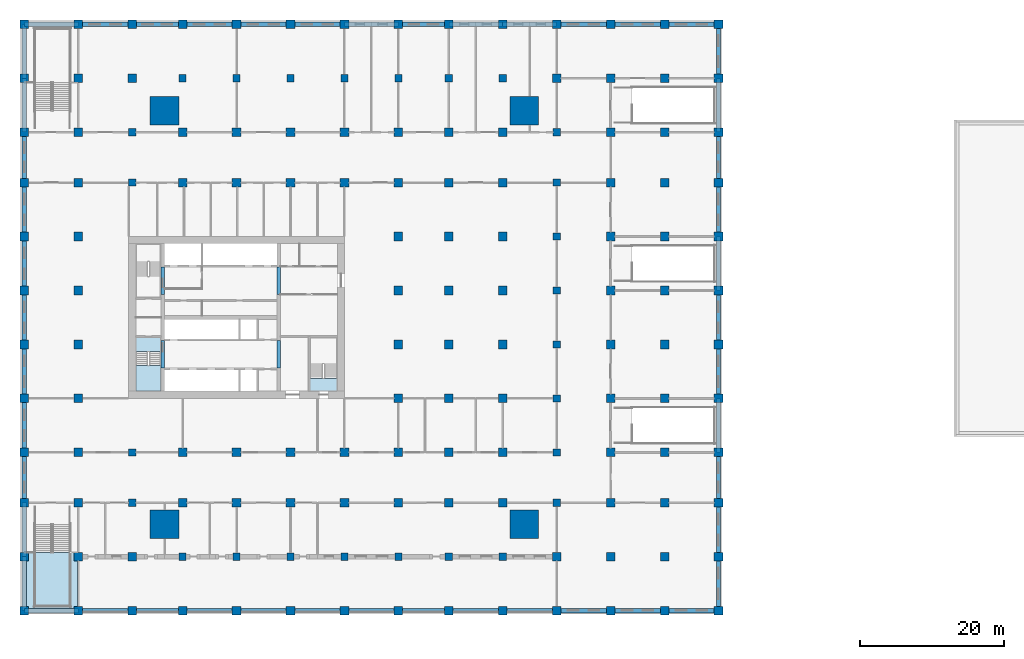
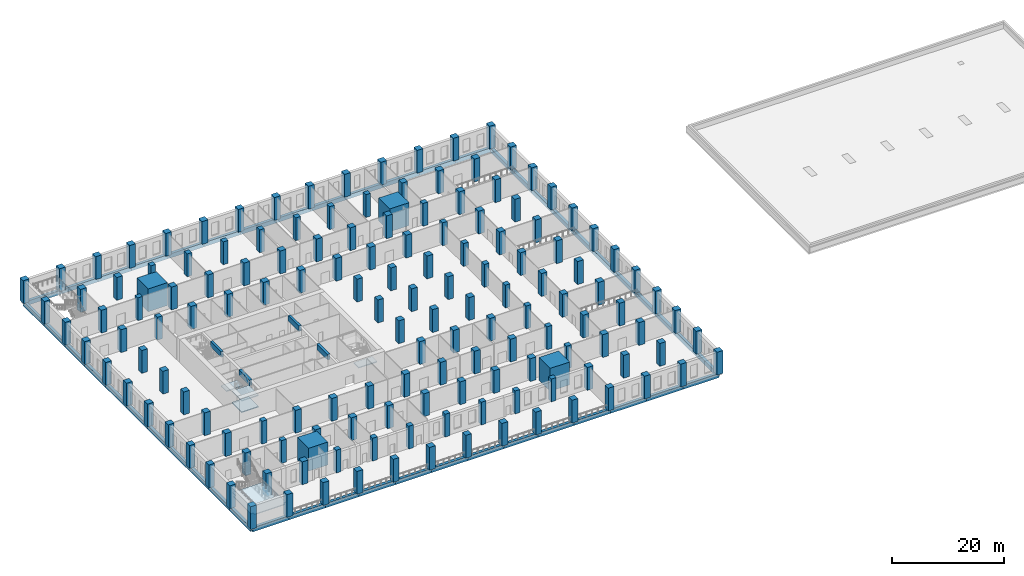
# One storey, part 1 of 22: 152 columns, 52 beams, 5 slabs, 3 elements without a shape of their own.
"""IFC4 building model written with IfcOpenShell, lengths in metres."""

import ifcopenshell
import ifcopenshell.guid

model = None  # the IFC model being written
_history = None  # IfcOwnerHistory: only IFC2X3 demands one
_inside = {}  # id of a spatial element -> (the spatial element, [elements in it])
_under = {}  # id of a project, library or spatial element -> (it, [spatial elements below it])
_declared = {}  # id of a project -> (the project, [libraries it declares])
_typed = {}  # id of a type object -> (the type object, [elements of that type])
_made_of = {}  # id of a material, layer set ... -> (it, [elements and type objects made of it])


def new_model(schema):
    """Start an empty IFC model of exactly this schema.

    Asked for "IFC4X3", IfcOpenShell would pick the latest addendum, in which some entities
    have other attributes; the version numbers below select the first issue.
    IFC2X3 requires an IfcOwnerHistory on every rooted entity: one is made here for all.
    """
    global model, _history
    if schema == "IFC4X3":
        model = ifcopenshell.file(schema_version=(4, 3, 0, 0))
    else:
        model = ifcopenshell.file(schema=schema)
    _inside.clear()
    _under.clear()
    _declared.clear()
    _typed.clear()
    _made_of.clear()
    _history = None
    if model.schema == "IFC2X3":
        org = make("IfcOrganization", Name="unknown")
        user = make(
            "IfcPersonAndOrganization",
            ThePerson=make("IfcPerson", FamilyName="unknown"),
            TheOrganization=org,
        )
        app = make(
            "IfcApplication",
            ApplicationDeveloper=org,
            Version="unknown",
            ApplicationFullName="unknown",
            ApplicationIdentifier="unknown",
        )
        _history = make(
            "IfcOwnerHistory",
            OwningUser=user,
            OwningApplication=app,
            ChangeAction="ADDED",
            CreationDate=0,
        )
    return model


def make(cls, **values):
    """One entity of the class cls with the attributes given. An attribute that is None is left unset."""
    return model.create_entity(
        cls, **{name: value for name, value in values.items() if value is not None}
    )


def rooted(cls, **values):
    """An entity with a GlobalId (a new one), such as an element, a storey or a relation."""
    return make(cls, GlobalId=ifcopenshell.guid.new(), OwnerHistory=_history, **values)


def si_unit(unit_type, name, prefix=None):
    """IfcSIUnit, for example si_unit("LENGTHUNIT", "METRE", prefix="MILLI")."""
    return make("IfcSIUnit", UnitType=unit_type, Prefix=prefix, Name=name)


def assignment(units):
    """IfcUnitAssignment: the units of a project."""
    return None if units is None else make("IfcUnitAssignment", Units=units)


def point(xyz):
    """IfcCartesianPoint."""
    return None if xyz is None else make("IfcCartesianPoint", Coordinates=xyz)


def direction(xyz):
    """IfcDirection."""
    return None if xyz is None else make("IfcDirection", DirectionRatios=xyz)


def frame(location, z_axis=None, x_axis=None):
    """IfcAxis2Placement3D, a coordinate frame: its origin and axes. An axis left out is left unset."""
    return make(
        "IfcAxis2Placement3D",
        Location=point(location),
        Axis=direction(z_axis),
        RefDirection=direction(x_axis),
    )


def frame_2d(location, x_axis=None):
    """IfcAxis2Placement2D, a coordinate frame in the plane: its origin and x axis."""
    return make(
        "IfcAxis2Placement2D", Location=point(location), RefDirection=direction(x_axis)
    )


def origin():
    """The frame at (0, 0, 0) with its axes left unset."""
    return frame((0.0, 0.0, 0.0))


def origin_2d():
    """The frame at (0, 0) in the plane with its x axis left unset."""
    return frame_2d((0.0, 0.0))


def place(relative_to, where):
    """IfcLocalPlacement: puts the frame where relative to a parent placement (None: the world)."""
    return make(
        "IfcLocalPlacement", PlacementRelTo=relative_to, RelativePlacement=where
    )


def context(
    kind, dimensions, precision=None, world=None, true_north=None, identifier=None
):
    """IfcGeometricRepresentationContext, for example the 3D "Model" context."""
    return make(
        "IfcGeometricRepresentationContext",
        ContextIdentifier=identifier,
        ContextType=kind,
        CoordinateSpaceDimension=dimensions,
        Precision=precision,
        WorldCoordinateSystem=world,
        TrueNorth=true_north,
    )


def subcontext(parent, identifier, kind, view, scale=None):
    """IfcGeometricRepresentationSubContext, for example "Body" below "Model"."""
    return make(
        "IfcGeometricRepresentationSubContext",
        ContextIdentifier=identifier,
        ContextType=kind,
        ParentContext=parent,
        TargetScale=scale,
        TargetView=view,
    )


def project(units=None, contexts=None):
    """IfcProject with its units and contexts."""
    return rooted(
        "IfcProject",
        Name="project",
        RepresentationContexts=contexts,
        UnitsInContext=assignment(units),
    )


def spatial(cls, under=None, at=None, **own):
    """A site, building, storey or space (cls), placed at a placement, below another one or the project."""
    s = rooted(cls, ObjectPlacement=at, **own)
    if under is not None:
        _under.setdefault(under.id(), (under, []))[1].append(s)
    return s


def polyline(points):
    """IfcPolyline through the points."""
    return make("IfcPolyline", Points=[point(p) for p in points])


def profile(cls, at=None, kind="AREA", **sizes):
    """A parametric profile (cls). Its sizes go by their IFC names, for example OverallWidth=200.0."""
    return make(cls, ProfileType=kind, Position=at, **sizes)


def rectangle(**sizes):
    """IfcRectangleProfileDef."""
    return profile("IfcRectangleProfileDef", **sizes)


def outline(outer, holes=None, kind="AREA"):
    """IfcArbitraryClosedProfileDef: a profile drawn as a closed curve; with holes, ...WithVoids."""
    if holes is None:
        return make("IfcArbitraryClosedProfileDef", ProfileType=kind, OuterCurve=outer)
    return make(
        "IfcArbitraryProfileDefWithVoids",
        ProfileType=kind,
        OuterCurve=outer,
        InnerCurves=holes,
    )


def extrude(swept, where, along, depth):
    """IfcExtrudedAreaSolid: the profile swept, set in the frame where, extruded along a direction by depth."""
    return make(
        "IfcExtrudedAreaSolid",
        SweptArea=swept,
        Position=where,
        ExtrudedDirection=direction(along),
        Depth=depth,
    )


def shape(context_of_items, identifier, shape_type, items):
    """IfcShapeRepresentation: the items that make up one representation, for example the "Body"."""
    return make(
        "IfcShapeRepresentation",
        ContextOfItems=context_of_items,
        RepresentationIdentifier=identifier,
        RepresentationType=shape_type,
        Items=items,
    )


def material(Name=None, Category=None):
    """IfcMaterial."""
    return make("IfcMaterial", Name=Name, Category=Category)


def layer(
    of_material, thickness, ventilated=None, Name=None, Category=None, Priority=None
):
    """IfcMaterialLayer: one layer of a wall or slab, of a material (None: an air gap)."""
    return make(
        "IfcMaterialLayer",
        Material=of_material,
        LayerThickness=thickness,
        IsVentilated=ventilated,
        Name=Name,
        Category=Category,
        Priority=Priority,
    )


def layer_set(layers, Name=None):
    """IfcMaterialLayerSet."""
    return make("IfcMaterialLayerSet", MaterialLayers=layers, LayerSetName=Name)


def material_profile(
    of_material, cross_section, Name=None, Category=None, Priority=None
):
    """IfcMaterialProfile: a cross section and its material."""
    return make(
        "IfcMaterialProfile",
        Name=Name,
        Material=of_material,
        Profile=cross_section,
        Priority=Priority,
        Category=Category,
    )


def profile_set(profiles, Name=None, composite=None):
    """IfcMaterialProfileSet."""
    return make(
        "IfcMaterialProfileSet",
        Name=Name,
        MaterialProfiles=profiles,
        CompositeProfile=composite,
    )


def made_of(thing, what):
    """Note that an element or type object is made of a material, layer set ...; save() writes the relation."""
    if what is not None:
        _made_of.setdefault(what.id(), (what, []))[1].append(thing)
    return thing


def type_object(cls, material=None, **own):
    """A type object (cls), such as IfcWallType, which elements share."""
    return made_of(rooted(cls, **own), material)


def element(
    cls,
    number,
    at=None,
    inside=None,
    cuts=None,
    type_object=None,
    material=None,
    context=None,
    identifier="Body",
    shape_type=None,
    held_by="IfcProductDefinitionShape",
    body=None,
    shapes=None,
    **own,
):
    """One element of the class cls, such as IfcWall. Its Tag is "e" and its number.

    at: its placement. inside: the storey or other place that contains it. cuts: it is an
    opening in that element (IfcRelVoidsElement). A single representation is given by context,
    identifier, shape_type and body (its items); several are given by shapes. held_by: the class
    of the entity that holds the representations. save() writes the other relations.
    """
    e = rooted(cls, Tag="e%d" % number, ObjectPlacement=at, **own)
    if body is not None:
        shapes = [shape(context, identifier, shape_type, body)]
    if shapes is not None:
        e.Representation = make(held_by, Representations=shapes)
    if inside is not None:
        _inside.setdefault(inside.id(), (inside, []))[1].append(e)
    if cuts is not None:
        rooted(
            "IfcRelVoidsElement", RelatingBuildingElement=cuts, RelatedOpeningElement=e
        )
    if type_object is not None:
        _typed.setdefault(type_object.id(), (type_object, []))[1].append(e)
    return made_of(e, material)


def aggregate(whole, parts):
    """IfcRelAggregates: a whole, such as a stair, and the parts it consists of."""
    return rooted("IfcRelAggregates", RelatingObject=whole, RelatedObjects=parts)


def save(model, path):
    """Write the relations noted so far, then the file.

    IfcRelAggregates (storeys below a building ...), IfcRelContainedInSpatialStructure (elements
    in a storey), IfcRelDefinesByType, IfcRelAssociatesMaterial and IfcRelDeclares: one each for
    every whole, place, type object, material and project.
    """
    for whole, parts in _under.values():
        aggregate(whole, parts)
    for where, things in _inside.values():
        rooted(
            "IfcRelContainedInSpatialStructure",
            RelatedElements=things,
            RelatingStructure=where,
        )
    for kind, things in _typed.values():
        rooted("IfcRelDefinesByType", RelatedObjects=things, RelatingType=kind)
    for what, things in _made_of.values():
        rooted("IfcRelAssociatesMaterial", RelatedObjects=things, RelatingMaterial=what)
    for by, libraries in _declared.values():
        rooted("IfcRelDeclares", RelatingContext=by, RelatedDefinitions=libraries)
    model.write(path)


model = new_model("IFC4")

# Units and contexts
model_context = context("Model", 3, precision=1e-05, world=origin(), true_north=direction((0.0, 1.0)))
body_context = subcontext(model_context, "Body", "Model", "MODEL_VIEW")
ifc_project = project(units=[si_unit("LENGTHUNIT", "METRE"), si_unit("AREAUNIT", "SQUARE_METRE"), si_unit("VOLUMEUNIT", "CUBIC_METRE"), si_unit("PLANEANGLEUNIT", "RADIAN"), si_unit("MASSUNIT", "GRAM", prefix="KILO")], contexts=[model_context])

# Site, building, storey
site_placement = place(None, origin())
site = spatial("IfcSite", under=ifc_project, at=site_placement, CompositionType="ELEMENT")
building_placement = place(site_placement, origin())
building = spatial("IfcBuilding", under=site, at=building_placement, Name="Tamorin Gate", CompositionType="ELEMENT")
storey_placement = place(building_placement, frame((0.0, 0.0, 29.0)))
storey = spatial("IfcBuildingStorey", under=building, at=storey_placement, Name="L05", CompositionType="ELEMENT", Elevation=29.0)

# Columns
ifc_material_1 = material(Name="Concrete C80/95", Category="concrete")
ifc_material_profile_1 = material_profile(ifc_material_1, rectangle(XDim=1.0, YDim=1.0, at=origin_2d()), Name="RC 1000x1000")
ifc_profile_set_1 = profile_set([ifc_material_profile_1], Name="Concrete C80/95")
column_type_1 = type_object("IfcColumnType", Name="RC column 1000x1000 C80/95", PredefinedType="COLUMN", material=ifc_profile_set_1)
for number, where, z_axis, x_axis, name in (
    (1, (30.5, 45.5, 0.0), (0.0, 0.0, 1.0), (1.0, 0.0, 0.0), "Ring column L05"),
    (2, (30.5, 52.5, 0.0), (0.0, 0.0, 1.0), (1.0, 0.0, 0.0), "Ring column L05"),
    (3, (30.5, 90.0, 0.0), (0.0, 0.0, 1.0), (1.0, 0.0, 0.0), "Ring column L05"),
    (4, (30.5, 97.0, 0.0), (0.0, 0.0, 1.0), (1.0, 0.0, 0.0), "Ring column L05"),
    (5, (37.5, 38.0, 0.0), (0.0, 0.0, 1.0), (1.0, 0.0, 0.0), "Ring column L05"),
    (6, (37.5, 104.5, 0.0), (0.0, 0.0, 1.0), (1.0, 0.0, 0.0), "Ring column L05"),
    (7, (45.0, 38.0, 0.0), (0.0, 0.0, 1.0), (1.0, 0.0, 0.0), "Ring column L05"),
    (8, (45.0, 104.5, 0.0), (0.0, 0.0, 1.0), (1.0, 0.0, 0.0), "Ring column L05"),
    (9, (52.5, 38.0, 0.0), (0.0, 0.0, 1.0), (1.0, 0.0, 0.0), "Ring column L05"),
    (10, (52.5, 104.5, 0.0), (0.0, 0.0, 1.0), (1.0, 0.0, 0.0), "Ring column L05"),
    (11, (60.0, 38.0, 0.0), (0.0, 0.0, 1.0), (1.0, 0.0, 0.0), "Ring column L05"),
    (12, (60.0, 104.5, 0.0), (0.0, 0.0, 1.0), (1.0, 0.0, 0.0), "Ring column L05"),
    (13, (67.5, 38.0, 0.0), (0.0, 0.0, 1.0), (1.0, 0.0, 0.0), "Ring column L05"),
    (14, (67.5, 104.5, 0.0), (0.0, 0.0, 1.0), (1.0, 0.0, 0.0), "Ring column L05"),
    (15, (74.5, 38.0, 0.0), (0.0, 0.0, 1.0), (1.0, 0.0, 0.0), "Ring column L05"),
    (16, (74.5, 104.5, 0.0), (0.0, 0.0, 1.0), (1.0, 0.0, 0.0), "Ring column L05"),
    (17, (82.0, 38.0, 0.0), (0.0, 0.0, 1.0), (1.0, 0.0, 0.0), "Ring column L05"),
    (18, (82.0, 104.5, 0.0), (0.0, 0.0, 1.0), (1.0, 0.0, 0.0), "Ring column L05"),
    (19, (89.5, 45.5, 0.0), (0.0, 0.0, 1.0), (1.0, 0.0, 0.0), "Ring column L05"),
    (20, (89.5, 52.5, 0.0), (0.0, 0.0, 1.0), (1.0, 0.0, 0.0), "Ring column L05"),
    (21, (89.5, 60.0, 0.0), (0.0, 0.0, 1.0), (1.0, 0.0, 0.0), "Ring column L05"),
    (22, (89.5, 67.5, 0.0), (0.0, 0.0, 1.0), (1.0, 0.0, 0.0), "Ring column L05"),
    (23, (89.5, 75.0, 0.0), (0.0, 0.0, 1.0), (1.0, 0.0, 0.0), "Ring column L05"),
    (24, (89.5, 82.5, 0.0), (0.0, 0.0, 1.0), (1.0, 0.0, 0.0), "Ring column L05"),
    (25, (89.5, 90.0, 0.0), (0.0, 0.0, 1.0), (1.0, 0.0, 0.0), "Ring column L05"),
    (26, (89.5, 97.0, 0.0), (0.0, 0.0, 1.0), (1.0, 0.0, 0.0), "Ring column L05"),
):
    element("IfcColumn", number, at=place(storey_placement, frame(where, z_axis=z_axis, x_axis=x_axis)), inside=storey, type_object=column_type_1, Name=name, PredefinedType="COLUMN", context=body_context, shape_type="SweptSolid", body=[
        extrude(rectangle(XDim=1.0, YDim=1.0, at=origin_2d()), origin(), (0.0, 0.0, 1.0), 5.0),
    ])
ifc_material_profile_2 = material_profile(ifc_material_1, rectangle(XDim=1.199951171875, YDim=1.199951171875, at=origin_2d()), Name="RC 1200x1200")
ifc_profile_set_2 = profile_set([ifc_material_profile_2], Name="Concrete C80/95")
column_type_2 = type_object("IfcColumnType", Name="RC column 1200x1200 C80/95", PredefinedType="COLUMN", material=ifc_profile_set_2)
for number, where, z_axis, x_axis, name in (
    (27, (37.5, 45.5, 0.0), (0.0, 0.0, 1.0), (1.0, 0.0, 0.0), "Interior column L05"),
    (28, (37.5, 52.5, 0.0), (0.0, 0.0, 1.0), (1.0, 0.0, 0.0), "Interior column L05"),
    (29, (37.5, 90.0, 0.0), (0.0, 0.0, 1.0), (1.0, 0.0, 0.0), "Interior column L05"),
    (30, (37.5, 97.0, 0.0), (0.0, 0.0, 1.0), (1.0, 0.0, 0.0), "Interior column L05"),
    (31, (45.0, 45.5, 0.0), (0.0, 0.0, 1.0), (1.0, 0.0, 0.0), "Interior column L05"),
    (32, (45.0, 52.5, 0.0), (0.0, 0.0, 1.0), (1.0, 0.0, 0.0), "Interior column L05"),
    (33, (45.0, 90.0, 0.0), (0.0, 0.0, 1.0), (1.0, 0.0, 0.0), "Interior column L05"),
    (34, (45.0, 97.0, 0.0), (0.0, 0.0, 1.0), (1.0, 0.0, 0.0), "Interior column L05"),
    (35, (52.5, 45.5, 0.0), (0.0, 0.0, 1.0), (1.0, 0.0, 0.0), "Interior column L05"),
    (36, (52.5, 52.5, 0.0), (0.0, 0.0, 1.0), (1.0, 0.0, 0.0), "Interior column L05"),
    (37, (52.5, 90.0, 0.0), (0.0, 0.0, 1.0), (1.0, 0.0, 0.0), "Interior column L05"),
    (38, (52.5, 97.0, 0.0), (0.0, 0.0, 1.0), (1.0, 0.0, 0.0), "Interior column L05"),
    (39, (60.0, 45.5, 0.0), (0.0, 0.0, 1.0), (1.0, 0.0, 0.0), "Interior column L05"),
    (40, (60.0, 52.5, 0.0), (0.0, 0.0, 1.0), (1.0, 0.0, 0.0), "Interior column L05"),
    (41, (60.0, 90.0, 0.0), (0.0, 0.0, 1.0), (1.0, 0.0, 0.0), "Interior column L05"),
    (42, (60.0, 97.0, 0.0), (0.0, 0.0, 1.0), (1.0, 0.0, 0.0), "Interior column L05"),
    (43, (67.5, 45.5, 0.0), (0.0, 0.0, 1.0), (1.0, 0.0, 0.0), "Interior column L05"),
    (44, (67.5, 52.5, 0.0), (0.0, 0.0, 1.0), (1.0, 0.0, 0.0), "Interior column L05"),
    (45, (67.5, 60.0, 0.0), (0.0, 0.0, 1.0), (1.0, 0.0, 0.0), "Interior column L05"),
    (46, (67.5, 67.5, 0.0), (0.0, 0.0, 1.0), (1.0, 0.0, 0.0), "Interior column L05"),
    (47, (67.5, 75.0, 0.0), (0.0, 0.0, 1.0), (1.0, 0.0, 0.0), "Interior column L05"),
    (48, (67.5, 82.5, 0.0), (0.0, 0.0, 1.0), (1.0, 0.0, 0.0), "Interior column L05"),
    (49, (67.5, 90.0, 0.0), (0.0, 0.0, 1.0), (1.0, 0.0, 0.0), "Interior column L05"),
    (50, (67.5, 97.0, 0.0), (0.0, 0.0, 1.0), (1.0, 0.0, 0.0), "Interior column L05"),
    (51, (74.5, 45.5, 0.0), (0.0, 0.0, 1.0), (1.0, 0.0, 0.0), "Interior column L05"),
    (52, (74.5, 52.5, 0.0), (0.0, 0.0, 1.0), (1.0, 0.0, 0.0), "Interior column L05"),
    (53, (74.5, 60.0, 0.0), (0.0, 0.0, 1.0), (1.0, 0.0, 0.0), "Interior column L05"),
    (54, (74.5, 67.5, 0.0), (0.0, 0.0, 1.0), (1.0, 0.0, 0.0), "Interior column L05"),
    (55, (74.5, 75.0, 0.0), (0.0, 0.0, 1.0), (1.0, 0.0, 0.0), "Interior column L05"),
    (56, (74.5, 82.5, 0.0), (0.0, 0.0, 1.0), (1.0, 0.0, 0.0), "Interior column L05"),
    (57, (74.5, 90.0, 0.0), (0.0, 0.0, 1.0), (1.0, 0.0, 0.0), "Interior column L05"),
    (58, (74.5, 97.0, 0.0), (0.0, 0.0, 1.0), (1.0, 0.0, 0.0), "Interior column L05"),
    (59, (82.0, 45.5, 0.0), (0.0, 0.0, 1.0), (1.0, 0.0, 0.0), "Interior column L05"),
    (60, (82.0, 52.5, 0.0), (0.0, 0.0, 1.0), (1.0, 0.0, 0.0), "Interior column L05"),
    (61, (82.0, 60.0, 0.0), (0.0, 0.0, 1.0), (1.0, 0.0, 0.0), "Interior column L05"),
    (62, (82.0, 67.5, 0.0), (0.0, 0.0, 1.0), (1.0, 0.0, 0.0), "Interior column L05"),
    (63, (82.0, 75.0, 0.0), (0.0, 0.0, 1.0), (1.0, 0.0, 0.0), "Interior column L05"),
    (64, (82.0, 82.5, 0.0), (0.0, 0.0, 1.0), (1.0, 0.0, 0.0), "Interior column L05"),
    (65, (82.0, 90.0, 0.0), (0.0, 0.0, 1.0), (1.0, 0.0, 0.0), "Interior column L05"),
    (66, (82.0, 97.0, 0.0), (0.0, 0.0, 1.0), (1.0, 0.0, 0.0), "Interior column L05"),
    (67, (15.5, 30.5, 0.0), (0.0, 0.0, 1.0), (1.0, 0.0, 0.0), "Podium column L05"),
    (68, (15.5, 38.0, 0.0), (0.0, 0.0, 1.0), (1.0, 0.0, 0.0), "Podium column L05"),
    (69, (15.5, 45.5, 0.0), (0.0, 0.0, 1.0), (1.0, 0.0, 0.0), "Podium column L05"),
    (70, (15.5, 52.5, 0.0), (0.0, 0.0, 1.0), (1.0, 0.0, 0.0), "Podium column L05"),
    (71, (15.5, 60.0, 0.0), (0.0, 0.0, 1.0), (1.0, 0.0, 0.0), "Podium column L05"),
    (72, (15.5, 67.5, 0.0), (0.0, 0.0, 1.0), (1.0, 0.0, 0.0), "Podium column L05"),
    (73, (15.5, 75.0, 0.0), (0.0, 0.0, 1.0), (1.0, 0.0, 0.0), "Podium column L05"),
    (74, (15.5, 82.5, 0.0), (0.0, 0.0, 1.0), (1.0, 0.0, 0.0), "Podium column L05"),
    (75, (15.5, 90.0, 0.0), (0.0, 0.0, 1.0), (1.0, 0.0, 0.0), "Podium column L05"),
    (76, (15.5, 97.0, 0.0), (0.0, 0.0, 1.0), (1.0, 0.0, 0.0), "Podium column L05"),
    (77, (15.5, 104.5, 0.0), (0.0, 0.0, 1.0), (1.0, 0.0, 0.0), "Podium column L05"),
    (78, (15.5, 112.0, 0.0), (0.0, 0.0, 1.0), (1.0, 0.0, 0.0), "Podium column L05"),
    (79, (23.0, 30.5, 0.0), (0.0, 0.0, 1.0), (1.0, 0.0, 0.0), "Podium column L05"),
    (80, (23.0, 38.0, 0.0), (0.0, 0.0, 1.0), (1.0, 0.0, 0.0), "Podium column L05"),
    (81, (23.0, 45.5, 0.0), (0.0, 0.0, 1.0), (1.0, 0.0, 0.0), "Podium column L05"),
    (82, (23.0, 52.5, 0.0), (0.0, 0.0, 1.0), (1.0, 0.0, 0.0), "Podium column L05"),
    (83, (23.0, 60.0, 0.0), (0.0, 0.0, 1.0), (1.0, 0.0, 0.0), "Podium column L05"),
    (84, (23.0, 67.5, 0.0), (0.0, 0.0, 1.0), (1.0, 0.0, 0.0), "Podium column L05"),
    (85, (23.0, 75.0, 0.0), (0.0, 0.0, 1.0), (1.0, 0.0, 0.0), "Podium column L05"),
    (86, (23.0, 82.5, 0.0), (0.0, 0.0, 1.0), (1.0, 0.0, 0.0), "Podium column L05"),
    (87, (23.0, 90.0, 0.0), (0.0, 0.0, 1.0), (1.0, 0.0, 0.0), "Podium column L05"),
    (88, (23.0, 97.0, 0.0), (0.0, 0.0, 1.0), (1.0, 0.0, 0.0), "Podium column L05"),
    (89, (23.0, 104.5, 0.0), (0.0, 0.0, 1.0), (1.0, 0.0, 0.0), "Podium column L05"),
    (90, (23.0, 112.0, 0.0), (0.0, 0.0, 1.0), (1.0, 0.0, 0.0), "Podium column L05"),
    (91, (30.5, 30.5, 0.0), (0.0, 0.0, 1.0), (1.0, 0.0, 0.0), "Podium column L05"),
    (92, (30.5, 38.0, 0.0), (0.0, 0.0, 1.0), (1.0, 0.0, 0.0), "Podium column L05"),
    (93, (30.5, 104.5, 0.0), (0.0, 0.0, 1.0), (1.0, 0.0, 0.0), "Podium column L05"),
    (94, (30.5, 112.0, 0.0), (0.0, 0.0, 1.0), (1.0, 0.0, 0.0), "Podium column L05"),
    (95, (37.5, 30.5, 0.0), (0.0, 0.0, 1.0), (1.0, 0.0, 0.0), "Podium column L05"),
    (96, (37.5, 112.0, 0.0), (0.0, 0.0, 1.0), (1.0, 0.0, 0.0), "Podium column L05"),
    (97, (45.0, 30.5, 0.0), (0.0, 0.0, 1.0), (1.0, 0.0, 0.0), "Podium column L05"),
    (98, (45.0, 112.0, 0.0), (0.0, 0.0, 1.0), (1.0, 0.0, 0.0), "Podium column L05"),
    (99, (52.5, 30.5, 0.0), (0.0, 0.0, 1.0), (1.0, 0.0, 0.0), "Podium column L05"),
    (100, (52.5, 112.0, 0.0), (0.0, 0.0, 1.0), (1.0, 0.0, 0.0), "Podium column L05"),
    (101, (60.0, 30.5, 0.0), (0.0, 0.0, 1.0), (1.0, 0.0, 0.0), "Podium column L05"),
    (102, (60.0, 112.0, 0.0), (0.0, 0.0, 1.0), (1.0, 0.0, 0.0), "Podium column L05"),
    (103, (67.5, 30.5, 0.0), (0.0, 0.0, 1.0), (1.0, 0.0, 0.0), "Podium column L05"),
    (104, (67.5, 112.0, 0.0), (0.0, 0.0, 1.0), (1.0, 0.0, 0.0), "Podium column L05"),
    (105, (74.5, 30.5, 0.0), (0.0, 0.0, 1.0), (1.0, 0.0, 0.0), "Podium column L05"),
    (106, (74.5, 112.0, 0.0), (0.0, 0.0, 1.0), (1.0, 0.0, 0.0), "Podium column L05"),
    (107, (82.0, 30.5, 0.0), (0.0, 0.0, 1.0), (1.0, 0.0, 0.0), "Podium column L05"),
    (108, (82.0, 112.0, 0.0), (0.0, 0.0, 1.0), (1.0, 0.0, 0.0), "Podium column L05"),
    (109, (89.5, 30.5, 0.0), (0.0, 0.0, 1.0), (1.0, 0.0, 0.0), "Podium column L05"),
    (110, (89.5, 38.0, 0.0), (0.0, 0.0, 1.0), (1.0, 0.0, 0.0), "Podium column L05"),
    (111, (89.5, 104.5, 0.0), (0.0, 0.0, 1.0), (1.0, 0.0, 0.0), "Podium column L05"),
    (112, (89.5, 112.0, 0.0), (0.0, 0.0, 1.0), (1.0, 0.0, 0.0), "Podium column L05"),
    (113, (97.0, 30.5, 0.0), (0.0, 0.0, 1.0), (1.0, 0.0, 0.0), "Podium column L05"),
    (114, (97.0, 38.0, 0.0), (0.0, 0.0, 1.0), (1.0, 0.0, 0.0), "Podium column L05"),
    (115, (97.0, 45.5, 0.0), (0.0, 0.0, 1.0), (1.0, 0.0, 0.0), "Podium column L05"),
    (116, (97.0, 52.5, 0.0), (0.0, 0.0, 1.0), (1.0, 0.0, 0.0), "Podium column L05"),
    (117, (97.0, 60.0, 0.0), (0.0, 0.0, 1.0), (1.0, 0.0, 0.0), "Podium column L05"),
    (118, (97.0, 67.5, 0.0), (0.0, 0.0, 1.0), (1.0, 0.0, 0.0), "Podium column L05"),
    (119, (97.0, 75.0, 0.0), (0.0, 0.0, 1.0), (1.0, 0.0, 0.0), "Podium column L05"),
    (120, (97.0, 82.5, 0.0), (0.0, 0.0, 1.0), (1.0, 0.0, 0.0), "Podium column L05"),
    (121, (97.0, 90.0, 0.0), (0.0, 0.0, 1.0), (1.0, 0.0, 0.0), "Podium column L05"),
    (122, (97.0, 97.0, 0.0), (0.0, 0.0, 1.0), (1.0, 0.0, 0.0), "Podium column L05"),
    (123, (97.0, 104.5, 0.0), (0.0, 0.0, 1.0), (1.0, 0.0, 0.0), "Podium column L05"),
    (124, (97.0, 112.0, 0.0), (0.0, 0.0, 1.0), (1.0, 0.0, 0.0), "Podium column L05"),
    (125, (104.5, 30.5, 0.0), (0.0, 0.0, 1.0), (1.0, 0.0, 0.0), "Podium column L05"),
    (126, (104.5, 38.0, 0.0), (0.0, 0.0, 1.0), (1.0, 0.0, 0.0), "Podium column L05"),
    (127, (104.5, 45.5, 0.0), (0.0, 0.0, 1.0), (1.0, 0.0, 0.0), "Podium column L05"),
    (128, (104.5, 52.5, 0.0), (0.0, 0.0, 1.0), (1.0, 0.0, 0.0), "Podium column L05"),
    (129, (104.5, 60.0, 0.0), (0.0, 0.0, 1.0), (1.0, 0.0, 0.0), "Podium column L05"),
    (130, (104.5, 67.5, 0.0), (0.0, 0.0, 1.0), (1.0, 0.0, 0.0), "Podium column L05"),
    (131, (104.5, 75.0, 0.0), (0.0, 0.0, 1.0), (1.0, 0.0, 0.0), "Podium column L05"),
    (132, (104.5, 82.5, 0.0), (0.0, 0.0, 1.0), (1.0, 0.0, 0.0), "Podium column L05"),
    (133, (104.5, 90.0, 0.0), (0.0, 0.0, 1.0), (1.0, 0.0, 0.0), "Podium column L05"),
    (134, (104.5, 97.0, 0.0), (0.0, 0.0, 1.0), (1.0, 0.0, 0.0), "Podium column L05"),
    (135, (104.5, 104.5, 0.0), (0.0, 0.0, 1.0), (1.0, 0.0, 0.0), "Podium column L05"),
    (136, (104.5, 112.0, 0.0), (0.0, 0.0, 1.0), (1.0, 0.0, 0.0), "Podium column L05"),
    (137, (112.0, 30.5, 0.0), (0.0, 0.0, 1.0), (1.0, 0.0, 0.0), "Podium column L05"),
    (138, (112.0, 38.0, 0.0), (0.0, 0.0, 1.0), (1.0, 0.0, 0.0), "Podium column L05"),
    (139, (112.0, 45.5, 0.0), (0.0, 0.0, 1.0), (1.0, 0.0, 0.0), "Podium column L05"),
    (140, (112.0, 52.5, 0.0), (0.0, 0.0, 1.0), (1.0, 0.0, 0.0), "Podium column L05"),
    (141, (112.0, 60.0, 0.0), (0.0, 0.0, 1.0), (1.0, 0.0, 0.0), "Podium column L05"),
    (142, (112.0, 67.5, 0.0), (0.0, 0.0, 1.0), (1.0, 0.0, 0.0), "Podium column L05"),
    (143, (112.0, 75.0, 0.0), (0.0, 0.0, 1.0), (1.0, 0.0, 0.0), "Podium column L05"),
    (144, (112.0, 82.5, 0.0), (0.0, 0.0, 1.0), (1.0, 0.0, 0.0), "Podium column L05"),
    (145, (112.0, 90.0, 0.0), (0.0, 0.0, 1.0), (1.0, 0.0, 0.0), "Podium column L05"),
    (146, (112.0, 97.0, 0.0), (0.0, 0.0, 1.0), (1.0, 0.0, 0.0), "Podium column L05"),
    (147, (112.0, 104.5, 0.0), (0.0, 0.0, 1.0), (1.0, 0.0, 0.0), "Podium column L05"),
    (148, (112.0, 112.0, 0.0), (0.0, 0.0, 1.0), (1.0, 0.0, 0.0), "Podium column L05"),
):
    element("IfcColumn", number, at=place(storey_placement, frame(where, z_axis=z_axis, x_axis=x_axis)), inside=storey, type_object=column_type_2, Name=name, PredefinedType="COLUMN", context=body_context, shape_type="SweptSolid", body=[
        extrude(rectangle(XDim=1.199951171875, YDim=1.199951171875, at=origin_2d()), origin(), (0.0, 0.0, 1.0), 5.0),
    ])
ifc_material_profile_3 = material_profile(ifc_material_1, rectangle(XDim=4.0, YDim=4.0, at=origin_2d()), Name="RC 4000x4000")
ifc_profile_set_3 = profile_set([ifc_material_profile_3], Name="Concrete C80/95")
column_type_3 = type_object("IfcColumnType", Name="RC column 4000x4000 C80/95", PredefinedType="COLUMN", material=ifc_profile_set_3)
for number, where, z_axis, x_axis, name in (
    (149, (35.0, 42.5, 0.0), (0.0, 0.0, 1.0), (1.0, 0.0, 0.0), "Mega column SW L05"),
    (150, (85.0, 42.5, 0.0), (0.0, 0.0, 1.0), (1.0, 0.0, 0.0), "Mega column SE L05"),
    (151, (35.0, 100.0, 0.0), (0.0, 0.0, 1.0), (1.0, 0.0, 0.0), "Mega column NW L05"),
    (152, (85.0, 100.0, 0.0), (0.0, 0.0, 1.0), (1.0, 0.0, 0.0), "Mega column NE L05"),
):
    element("IfcColumn", number, at=place(storey_placement, frame(where, z_axis=z_axis, x_axis=x_axis)), inside=storey, type_object=column_type_3, Name=name, PredefinedType="COLUMN", context=body_context, shape_type="SweptSolid", body=[
        extrude(rectangle(XDim=4.0, YDim=4.0, at=origin_2d()), origin(), (0.0, 0.0, 1.0), 5.0),
    ])

# Beams
ifc_material_profile_4 = material_profile(ifc_material_1, rectangle(XDim=0.5, YDim=1.199951171875, at=origin_2d()), Name="RC 500x1200")
ifc_profile_set_4 = profile_set([ifc_material_profile_4], Name="Concrete C80/95")
beam_type_1 = type_object("IfcBeamType", Name="RC coupling beam 500x1200 C80/95", PredefinedType="BEAM", material=ifc_profile_set_4)
for number, where, z_axis, x_axis, name in (
    (153, (34.75, 64.199951171875, 4.39990234375), (0.0, 1.0, 0.0), (-1.0, 0.0, 0.0), "Coupling beam L05"),
    (154, (34.75, 74.449951171875, 4.39990234375), (0.0, 1.0, 0.0), (-1.0, 0.0, 0.0), "Coupling beam L05"),
    (155, (50.85009765625, 64.199951171875, 4.39990234375), (0.0, 1.0, 0.0), (-1.0, 0.0, 0.0), "Coupling beam L05"),
    (156, (50.85009765625, 74.449951171875, 4.39990234375), (0.0, 1.0, 0.0), (-1.0, 0.0, 0.0), "Coupling beam L05"),
):
    element("IfcBeam", number, at=place(storey_placement, frame(where, z_axis=z_axis, x_axis=x_axis)), inside=storey, type_object=beam_type_1, Name=name, PredefinedType="BEAM", context=body_context, shape_type="SweptSolid", body=[
        extrude(rectangle(XDim=0.5, YDim=1.199951171875, at=origin_2d()), origin(), (0.0, 0.0, 1.0), 3.85009765625),
    ])
ifc_material_2 = material(Name="Concrete C50/60", Category="concrete")
ifc_material_profile_5 = material_profile(ifc_material_2, rectangle(XDim=0.60009765625, YDim=0.89990234375, at=origin_2d()), Name="RC 600x900")
ifc_profile_set_5 = profile_set([ifc_material_profile_5], Name="Concrete C50/60")
beam_type_2 = type_object("IfcBeamType", Name="RC spandrel 600x900 C50/60", PredefinedType="BEAM", material=ifc_profile_set_5)
for number, where, z_axis, x_axis, name in (
    (157, (15.5, 30.5, -0.449951171875), (1.0, 0.0, 0.0), (0.0, 1.0, 0.0), "Spandrel beam L05"),
    (158, (23.0, 30.5, -0.449951171875), (1.0, 0.0, 0.0), (0.0, 1.0, 0.0), "Spandrel beam L05"),
):
    element("IfcBeam", number, at=place(storey_placement, frame(where, z_axis=z_axis, x_axis=x_axis)), inside=storey, type_object=beam_type_2, Name=name, PredefinedType="BEAM", context=body_context, shape_type="SweptSolid", body=[
        extrude(rectangle(XDim=0.60009765625, YDim=0.89990234375, at=origin_2d()), origin(), (0.0, 0.0, 1.0), 7.5),
    ])
beam_1_placement = place(storey_placement, frame((30.5, 30.5, -0.449951171875), z_axis=(1.0, 0.0, 0.0), x_axis=(0.0, 1.0, 0.0)))
element("IfcBeam", 159, at=beam_1_placement, inside=storey, type_object=beam_type_2, Name="Spandrel beam L05", PredefinedType="BEAM", context=body_context, shape_type="SweptSolid", body=[
    extrude(rectangle(XDim=0.60009765625, YDim=0.89990234375, at=origin_2d()), origin(), (0.0, 0.0, 1.0), 7.0),
])
for number, where, z_axis, x_axis, name in (
    (160, (37.5, 30.5, -0.449951171875), (1.0, 0.0, 0.0), (0.0, 1.0, 0.0), "Spandrel beam L05"),
    (161, (45.0, 30.5, -0.449951171875), (1.0, 0.0, 0.0), (0.0, 1.0, 0.0), "Spandrel beam L05"),
    (162, (52.5, 30.5, -0.449951171875), (1.0, 0.0, 0.0), (0.0, 1.0, 0.0), "Spandrel beam L05"),
    (163, (60.0, 30.5, -0.449951171875), (1.0, 0.0, 0.0), (0.0, 1.0, 0.0), "Spandrel beam L05"),
):
    element("IfcBeam", number, at=place(storey_placement, frame(where, z_axis=z_axis, x_axis=x_axis)), inside=storey, type_object=beam_type_2, Name=name, PredefinedType="BEAM", context=body_context, shape_type="SweptSolid", body=[
        extrude(rectangle(XDim=0.60009765625, YDim=0.89990234375, at=origin_2d()), origin(), (0.0, 0.0, 1.0), 7.5),
    ])
beam_2_placement = place(storey_placement, frame((67.5, 30.5, -0.449951171875), z_axis=(1.0, 0.0, 0.0), x_axis=(0.0, 1.0, 0.0)))
element("IfcBeam", 164, at=beam_2_placement, inside=storey, type_object=beam_type_2, Name="Spandrel beam L05", PredefinedType="BEAM", context=body_context, shape_type="SweptSolid", body=[
    extrude(rectangle(XDim=0.60009765625, YDim=0.89990234375, at=origin_2d()), origin(), (0.0, 0.0, 1.0), 7.0),
])
for number, where, z_axis, x_axis, name in (
    (165, (74.5, 30.5, -0.449951171875), (1.0, 0.0, 0.0), (0.0, 1.0, 0.0), "Spandrel beam L05"),
    (166, (82.0, 30.5, -0.449951171875), (1.0, 0.0, 0.0), (0.0, 1.0, 0.0), "Spandrel beam L05"),
    (167, (89.5, 30.5, -0.449951171875), (1.0, 0.0, 0.0), (0.0, 1.0, 0.0), "Spandrel beam L05"),
    (168, (97.0, 30.5, -0.449951171875), (1.0, 0.0, 0.0), (0.0, 1.0, 0.0), "Spandrel beam L05"),
    (169, (104.5, 30.5, -0.449951171875), (1.0, 0.0, 0.0), (0.0, 1.0, 0.0), "Spandrel beam L05"),
    (170, (112.0, 30.5, -0.449951171875), (0.0, 1.0, 0.0), (-1.0, 0.0, 0.0), "Spandrel beam L05"),
    (171, (112.0, 38.0, -0.449951171875), (0.0, 1.0, 0.0), (-1.0, 0.0, 0.0), "Spandrel beam L05"),
):
    element("IfcBeam", number, at=place(storey_placement, frame(where, z_axis=z_axis, x_axis=x_axis)), inside=storey, type_object=beam_type_2, Name=name, PredefinedType="BEAM", context=body_context, shape_type="SweptSolid", body=[
        extrude(rectangle(XDim=0.60009765625, YDim=0.89990234375, at=origin_2d()), origin(), (0.0, 0.0, 1.0), 7.5),
    ])
beam_3_placement = place(storey_placement, frame((112.0, 45.5, -0.449951171875), z_axis=(0.0, 1.0, 0.0), x_axis=(-1.0, 0.0, 0.0)))
element("IfcBeam", 172, at=beam_3_placement, inside=storey, type_object=beam_type_2, Name="Spandrel beam L05", PredefinedType="BEAM", context=body_context, shape_type="SweptSolid", body=[
    extrude(rectangle(XDim=0.60009765625, YDim=0.89990234375, at=origin_2d()), origin(), (0.0, 0.0, 1.0), 7.0),
])
for number, where, z_axis, x_axis, name in (
    (173, (112.0, 52.5, -0.449951171875), (0.0, 1.0, 0.0), (-1.0, 0.0, 0.0), "Spandrel beam L05"),
    (174, (112.0, 60.0, -0.449951171875), (0.0, 1.0, 0.0), (-1.0, 0.0, 0.0), "Spandrel beam L05"),
    (175, (112.0, 67.5, -0.449951171875), (0.0, 1.0, 0.0), (-1.0, 0.0, 0.0), "Spandrel beam L05"),
    (176, (112.0, 75.0, -0.449951171875), (0.0, 1.0, 0.0), (-1.0, 0.0, 0.0), "Spandrel beam L05"),
    (177, (112.0, 82.5, -0.449951171875), (0.0, 1.0, 0.0), (-1.0, 0.0, 0.0), "Spandrel beam L05"),
):
    element("IfcBeam", number, at=place(storey_placement, frame(where, z_axis=z_axis, x_axis=x_axis)), inside=storey, type_object=beam_type_2, Name=name, PredefinedType="BEAM", context=body_context, shape_type="SweptSolid", body=[
        extrude(rectangle(XDim=0.60009765625, YDim=0.89990234375, at=origin_2d()), origin(), (0.0, 0.0, 1.0), 7.5),
    ])
beam_4_placement = place(storey_placement, frame((112.0, 90.0, -0.449951171875), z_axis=(0.0, 1.0, 0.0), x_axis=(-1.0, 0.0, 0.0)))
element("IfcBeam", 178, at=beam_4_placement, inside=storey, type_object=beam_type_2, Name="Spandrel beam L05", PredefinedType="BEAM", context=body_context, shape_type="SweptSolid", body=[
    extrude(rectangle(XDim=0.60009765625, YDim=0.89990234375, at=origin_2d()), origin(), (0.0, 0.0, 1.0), 7.0),
])
for number, where, z_axis, x_axis, name in (
    (179, (112.0, 97.0, -0.449951171875), (0.0, 1.0, 0.0), (-1.0, 0.0, 0.0), "Spandrel beam L05"),
    (180, (112.0, 104.5, -0.449951171875), (0.0, 1.0, 0.0), (-1.0, 0.0, 0.0), "Spandrel beam L05"),
    (181, (112.0, 112.0, -0.449951171875), (-1.0, 0.0, 0.0), (0.0, -1.0, 0.0), "Spandrel beam L05"),
    (182, (104.5, 112.0, -0.449951171875), (-1.0, 0.0, 0.0), (0.0, -1.0, 0.0), "Spandrel beam L05"),
    (183, (97.0, 112.0, -0.449951171875), (-1.0, 0.0, 0.0), (0.0, -1.0, 0.0), "Spandrel beam L05"),
    (184, (89.5, 112.0, -0.449951171875), (-1.0, 0.0, 0.0), (0.0, -1.0, 0.0), "Spandrel beam L05"),
    (185, (82.0, 112.0, -0.449951171875), (-1.0, 0.0, 0.0), (0.0, -1.0, 0.0), "Spandrel beam L05"),
):
    element("IfcBeam", number, at=place(storey_placement, frame(where, z_axis=z_axis, x_axis=x_axis)), inside=storey, type_object=beam_type_2, Name=name, PredefinedType="BEAM", context=body_context, shape_type="SweptSolid", body=[
        extrude(rectangle(XDim=0.60009765625, YDim=0.89990234375, at=origin_2d()), origin(), (0.0, 0.0, 1.0), 7.5),
    ])
beam_5_placement = place(storey_placement, frame((74.5, 112.0, -0.449951171875), z_axis=(-1.0, 0.0, 0.0), x_axis=(0.0, -1.0, 0.0)))
element("IfcBeam", 186, at=beam_5_placement, inside=storey, type_object=beam_type_2, Name="Spandrel beam L05", PredefinedType="BEAM", context=body_context, shape_type="SweptSolid", body=[
    extrude(rectangle(XDim=0.60009765625, YDim=0.89990234375, at=origin_2d()), origin(), (0.0, 0.0, 1.0), 7.0),
])
for number, where, z_axis, x_axis, name in (
    (187, (67.5, 112.0, -0.449951171875), (-1.0, 0.0, 0.0), (0.0, -1.0, 0.0), "Spandrel beam L05"),
    (188, (60.0, 112.0, -0.449951171875), (-1.0, 0.0, 0.0), (0.0, -1.0, 0.0), "Spandrel beam L05"),
    (189, (52.5, 112.0, -0.449951171875), (-1.0, 0.0, 0.0), (0.0, -1.0, 0.0), "Spandrel beam L05"),
    (190, (45.0, 112.0, -0.449951171875), (-1.0, 0.0, 0.0), (0.0, -1.0, 0.0), "Spandrel beam L05"),
):
    element("IfcBeam", number, at=place(storey_placement, frame(where, z_axis=z_axis, x_axis=x_axis)), inside=storey, type_object=beam_type_2, Name=name, PredefinedType="BEAM", context=body_context, shape_type="SweptSolid", body=[
        extrude(rectangle(XDim=0.60009765625, YDim=0.89990234375, at=origin_2d()), origin(), (0.0, 0.0, 1.0), 7.5),
    ])
beam_6_placement = place(storey_placement, frame((37.5, 112.0, -0.449951171875), z_axis=(-1.0, 0.0, 0.0), x_axis=(0.0, -1.0, 0.0)))
element("IfcBeam", 191, at=beam_6_placement, inside=storey, type_object=beam_type_2, Name="Spandrel beam L05", PredefinedType="BEAM", context=body_context, shape_type="SweptSolid", body=[
    extrude(rectangle(XDim=0.60009765625, YDim=0.89990234375, at=origin_2d()), origin(), (0.0, 0.0, 1.0), 7.0),
])
for number, where, z_axis, x_axis, name in (
    (192, (30.5, 112.0, -0.449951171875), (-1.0, 0.0, 0.0), (0.0, -1.0, 0.0), "Spandrel beam L05"),
    (193, (23.0, 112.0, -0.449951171875), (-1.0, 0.0, 0.0), (0.0, -1.0, 0.0), "Spandrel beam L05"),
    (194, (15.5, 112.0, -0.449951171875), (0.0, -1.0, 0.0), (1.0, 0.0, 0.0), "Spandrel beam L05"),
    (195, (15.5, 104.5, -0.449951171875), (0.0, -1.0, 0.0), (1.0, 0.0, 0.0), "Spandrel beam L05"),
):
    element("IfcBeam", number, at=place(storey_placement, frame(where, z_axis=z_axis, x_axis=x_axis)), inside=storey, type_object=beam_type_2, Name=name, PredefinedType="BEAM", context=body_context, shape_type="SweptSolid", body=[
        extrude(rectangle(XDim=0.60009765625, YDim=0.89990234375, at=origin_2d()), origin(), (0.0, 0.0, 1.0), 7.5),
    ])
beam_7_placement = place(storey_placement, frame((15.5, 97.0, -0.449951171875), z_axis=(0.0, -1.0, 0.0), x_axis=(1.0, 0.0, 0.0)))
element("IfcBeam", 196, at=beam_7_placement, inside=storey, type_object=beam_type_2, Name="Spandrel beam L05", PredefinedType="BEAM", context=body_context, shape_type="SweptSolid", body=[
    extrude(rectangle(XDim=0.60009765625, YDim=0.89990234375, at=origin_2d()), origin(), (0.0, 0.0, 1.0), 7.0),
])
for number, where, z_axis, x_axis, name in (
    (197, (15.5, 90.0, -0.449951171875), (0.0, -1.0, 0.0), (1.0, 0.0, 0.0), "Spandrel beam L05"),
    (198, (15.5, 82.5, -0.449951171875), (0.0, -1.0, 0.0), (1.0, 0.0, 0.0), "Spandrel beam L05"),
    (199, (15.5, 75.0, -0.449951171875), (0.0, -1.0, 0.0), (1.0, 0.0, 0.0), "Spandrel beam L05"),
    (200, (15.5, 67.5, -0.449951171875), (0.0, -1.0, 0.0), (1.0, 0.0, 0.0), "Spandrel beam L05"),
    (201, (15.5, 60.0, -0.449951171875), (0.0, -1.0, 0.0), (1.0, 0.0, 0.0), "Spandrel beam L05"),
):
    element("IfcBeam", number, at=place(storey_placement, frame(where, z_axis=z_axis, x_axis=x_axis)), inside=storey, type_object=beam_type_2, Name=name, PredefinedType="BEAM", context=body_context, shape_type="SweptSolid", body=[
        extrude(rectangle(XDim=0.60009765625, YDim=0.89990234375, at=origin_2d()), origin(), (0.0, 0.0, 1.0), 7.5),
    ])
beam_8_placement = place(storey_placement, frame((15.5, 52.5, -0.449951171875), z_axis=(0.0, -1.0, 0.0), x_axis=(1.0, 0.0, 0.0)))
element("IfcBeam", 202, at=beam_8_placement, inside=storey, type_object=beam_type_2, Name="Spandrel beam L05", PredefinedType="BEAM", context=body_context, shape_type="SweptSolid", body=[
    extrude(rectangle(XDim=0.60009765625, YDim=0.89990234375, at=origin_2d()), origin(), (0.0, 0.0, 1.0), 7.0),
])
for number, where, z_axis, x_axis, name in (
    (203, (15.5, 45.5, -0.449951171875), (0.0, -1.0, 0.0), (1.0, 0.0, 0.0), "Spandrel beam L05"),
    (204, (15.5, 38.0, -0.449951171875), (0.0, -1.0, 0.0), (1.0, 0.0, 0.0), "Spandrel beam L05"),
):
    element("IfcBeam", number, at=place(storey_placement, frame(where, z_axis=z_axis, x_axis=x_axis)), inside=storey, type_object=beam_type_2, Name=name, PredefinedType="BEAM", context=body_context, shape_type="SweptSolid", body=[
        extrude(rectangle(XDim=0.60009765625, YDim=0.89990234375, at=origin_2d()), origin(), (0.0, 0.0, 1.0), 7.5),
    ])

# Stair, slabs
ifc_material_3 = material(Name="Concrete C40/50", Category="concrete")
stair_type_1 = type_object("IfcStairType", Name="Exit stair", PredefinedType="HALF_TURN_STAIR", material=ifc_material_3)
stair_1_placement = place(storey_placement, origin())
stair_1 = element("IfcStair", 205, at=stair_1_placement, inside=storey, type_object=stair_type_1, Name="L05 stair ST1", PredefinedType="HALF_TURN_STAIR")
ifc_layer_1 = layer(ifc_material_3, 0.199951171875)
ifc_layer_set_1 = layer_set([ifc_layer_1], Name="Exit stair landing 200")
slab_type_1 = type_object("IfcSlabType", Name="Exit stair landing 200", PredefinedType="LANDING", material=ifc_layer_set_1)
slab_1_placement = place(storey_placement, frame((0.0, 0.0, 1.050048828125)))
slab_1 = element("IfcSlab", 206, at=slab_1_placement, type_object=slab_type_1, Name="ST1 landing 1", PredefinedType="LANDING", context=body_context, shape_type="SweptSolid", body=[
    extrude(outline(polyline([(31.0, 64.5400390625), (31.0, 61.0), (34.5, 61.0), (34.5, 64.5400390625), (31.0, 64.5400390625)])), origin(), (0.0, 0.0, 1.0), 0.199951171875),
])
slab_2_placement = place(storey_placement, frame((0.0, 0.0, 2.300048828125)))
slab_2 = element("IfcSlab", 207, at=slab_2_placement, type_object=slab_type_1, Name="ST1 landing 2", PredefinedType="LANDING", context=body_context, shape_type="SweptSolid", body=[
    extrude(outline(polyline([(31.0, 68.5), (31.0, 66.5), (34.5, 66.5), (34.5, 68.5), (31.0, 68.5)])), origin(), (0.0, 0.0, 1.0), 0.199951171875),
])
slab_3_placement = place(storey_placement, frame((0.0, 0.0, 3.550048828125)))
slab_3 = element("IfcSlab", 208, at=slab_3_placement, type_object=slab_type_1, Name="ST1 landing 3", PredefinedType="LANDING", context=body_context, shape_type="SweptSolid", body=[
    extrude(outline(polyline([(31.0, 64.5400390625), (31.0, 61.0), (34.5, 61.0), (34.5, 64.5400390625), (31.0, 64.5400390625)])), origin(), (0.0, 0.0, 1.0), 0.199951171875),
])
aggregate(stair_1, [slab_1, slab_2, slab_3])

# Stair, slab
stair_2_placement = place(storey_placement, origin())
stair_2 = element("IfcStair", 209, at=stair_2_placement, inside=storey, type_object=stair_type_1, Name="L05 stair ST3", PredefinedType="HALF_TURN_STAIR")
slab_4_placement = place(storey_placement, frame((0.0, 0.0, 2.300048828125)))
slab_4 = element("IfcSlab", 210, at=slab_4_placement, type_object=slab_type_1, Name="ST3 landing 2", PredefinedType="LANDING", context=body_context, shape_type="SweptSolid", body=[
    extrude(outline(polyline([(59.0, 61.0), (59.0, 62.800048828125), (55.199951171875, 62.800048828125), (55.199951171875, 61.0), (59.0, 61.0)])), origin(), (0.0, 0.0, 1.0), 0.199951171875),
])
aggregate(stair_2, [slab_4])

ifc_material_4 = material(Name="Reinforced concrete C32/40", Category="concrete")
stair_type_2 = type_object("IfcStairType", Name="Podium stair PS", PredefinedType="HALF_TURN_STAIR", material=ifc_material_4)
stair_3_placement = place(storey_placement, origin())
stair_3 = element("IfcStair", 211, at=stair_3_placement, inside=storey, type_object=stair_type_2, Name="L05 Podium stair PS1", PredefinedType="HALF_TURN_STAIR")
ifc_layer_2 = layer(ifc_material_4, 0.199951171875)
ifc_layer_set_2 = layer_set([ifc_layer_2], Name="Stair landing 200")
slab_type_2 = type_object("IfcSlabType", Name="Stair landing 200", PredefinedType="LANDING", material=ifc_layer_set_2)
slab_5_placement = place(storey_placement, frame((0.0, 0.0, 2.300048828125)))
slab_5 = element("IfcSlab", 212, at=slab_5_placement, type_object=slab_type_2, Name="PS1 landing 1", PredefinedType="LANDING", context=body_context, shape_type="SweptSolid", body=[
    extrude(outline(polyline([(22.39990234375, 31.10009765625), (22.39990234375, 30.64990234375), (16.10009765625, 30.64990234375), (16.10009765625, 31.10009765625), (15.64990234375, 31.10009765625), (15.64990234375, 37.39990234375), (16.10009765625, 37.39990234375), (16.10009765625, 38.580078125), (22.39990234375, 38.580078125), (22.39990234375, 37.39990234375), (22.89990234375, 37.39990234375), (22.89990234375, 31.10009765625), (22.39990234375, 31.10009765625)])), origin(), (0.0, 0.0, 1.0), 0.199951171875),
])
aggregate(stair_3, [slab_5])

save(model, "model.ifc")
